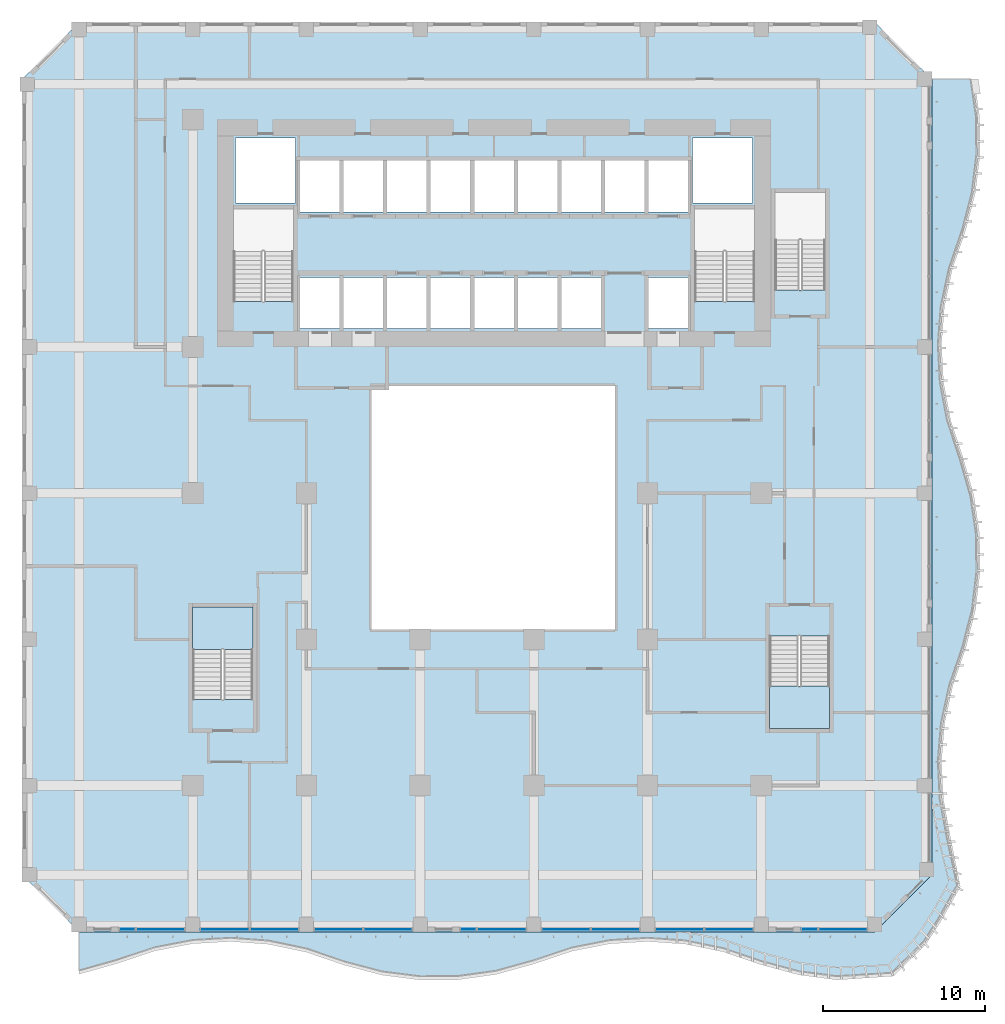
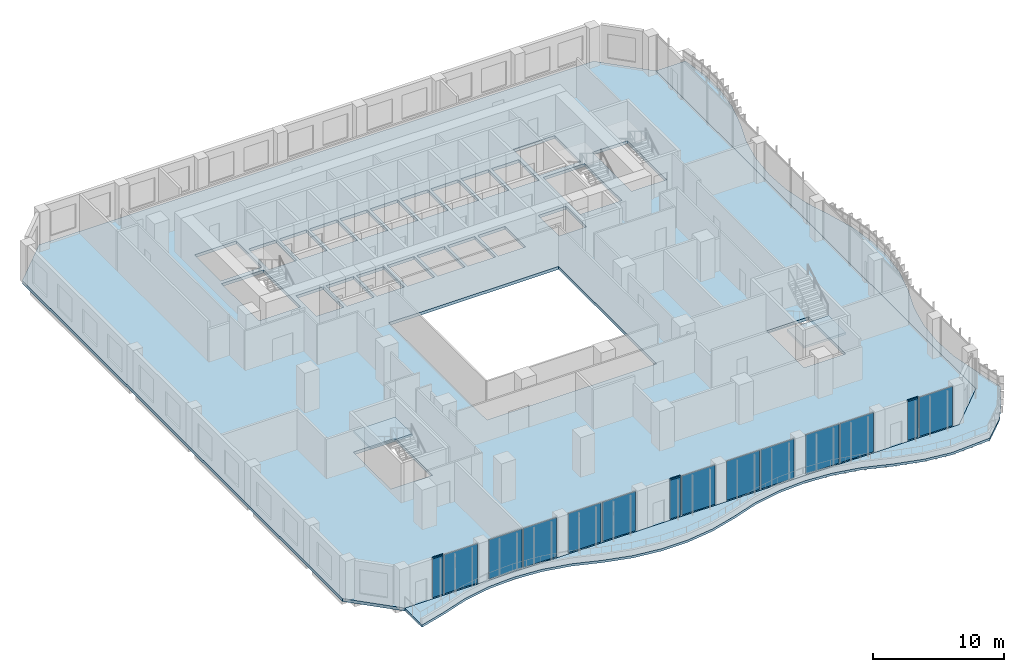
# One storey, part 11 of 26: 14 plates, 4 slabs, 3 members, 16 elements without a shape of their own.
"""IFC4 building model written with IfcOpenShell, lengths in metres."""

from ifc_helpers import new_model, si_unit, direction, frame, origin, origin_2d, place, context, subcontext, project, spatial, polyline, rectangle, outline, extrude, source, transform, mapped, material, layer, layer_set, material_profile, profile_set, type_object, element, aggregate, save


model = new_model("IFC4")

# Units and contexts
model_context = context("Model", 3, precision=1e-05, world=origin(), true_north=direction((0.0, 1.0)))
body_context = subcontext(model_context, "Body", "Model", "MODEL_VIEW")
ifc_project = project(units=[si_unit("LENGTHUNIT", "METRE"), si_unit("AREAUNIT", "SQUARE_METRE"), si_unit("VOLUMEUNIT", "CUBIC_METRE"), si_unit("PLANEANGLEUNIT", "RADIAN"), si_unit("MASSUNIT", "GRAM", prefix="KILO")], contexts=[model_context])

# Site, building, storey
site_placement = place(None, origin())
site = spatial("IfcSite", under=ifc_project, at=site_placement, CompositionType="ELEMENT")
building_placement = place(site_placement, origin())
building = spatial("IfcBuilding", under=site, at=building_placement, Name="Kilnfold Tower and Market Hall", CompositionType="ELEMENT")
storey_placement = place(building_placement, frame((0.0, 0.0, 31.0)))
storey = spatial("IfcBuildingStorey", under=building, at=storey_placement, Name="L06", CompositionType="ELEMENT", Elevation=31.0)

# Curtain wall, member
ifc_material_1 = material(Name="Aluminium and double glazing", Category="aluminium")
curtain_wall_type = type_object("IfcCurtainWallType", Name="CW OF1 VALLEY GLAZING", PredefinedType="NOTDEFINED", material=ifc_material_1)
curtain_wall_1_placement = place(storey_placement, origin())
curtain_wall_1 = element("IfcCurtainWall", 1, at=curtain_wall_1_placement, inside=storey, type_object=curtain_wall_type, Name="Curtain wall CW1 L06 S", PredefinedType="NOTDEFINED")
ifc_material_2 = material(Name="Aluminium", Category="aluminium")
ifc_material_profile = material_profile(ifc_material_2, rectangle(XDim=0.06005859375, YDim=0.139892578125, at=origin_2d()), Name="TRANSOM 60x140")
ifc_profile_set = profile_set([ifc_material_profile], Name="Aluminium")
member_type = type_object("IfcMemberType", Name="TRANSOM 60X140", PredefinedType="USERDEFINED", material=ifc_profile_set)
shared_shape_1 = source(origin(), body_context, "Body", "SweptSolid", [
    extrude(rectangle(XDim=0.06005859375, YDim=0.139892578125, at=origin_2d()), origin(), (0.0, 0.0, 1.0), 0.929931640625),
])
member_1_placement = place(storey_placement, frame((-21.989990234375, -27.85009765625, 3.68994140625), z_axis=(1.0, 0.0, 0.0), x_axis=(0.0, 1.0, 0.0)))
member_1 = element("IfcMember", 2, at=member_1_placement, type_object=member_type, Name="CW1 transom 1.2", ObjectType="TRANSOM", PredefinedType="USERDEFINED", context=body_context, shape_type="MappedRepresentation", body=[
    mapped(shared_shape_1, transform((0.0, 0.0, 0.0))),
])

curtain_wall_2_placement = place(storey_placement, origin())
curtain_wall_2 = element("IfcCurtainWall", 3, at=curtain_wall_2_placement, inside=storey, type_object=curtain_wall_type, Name="Curtain wall CW1 L06 S", PredefinedType="NOTDEFINED")
member_2_placement = place(storey_placement, frame((-0.989990234375, -27.85009765625, 3.68994140625), z_axis=(1.0, 0.0, 0.0), x_axis=(0.0, 1.0, 0.0)))
member_2 = element("IfcMember", 4, at=member_2_placement, type_object=member_type, Name="CW1 transom 1.2", ObjectType="TRANSOM", PredefinedType="USERDEFINED", context=body_context, shape_type="MappedRepresentation", body=[
    mapped(shared_shape_1, transform((0.0, 0.0, 0.0))),
])

curtain_wall_3_placement = place(storey_placement, origin())
curtain_wall_3 = element("IfcCurtainWall", 5, at=curtain_wall_3_placement, inside=storey, type_object=curtain_wall_type, Name="Curtain wall CW1 L06 S", PredefinedType="NOTDEFINED")
member_3_placement = place(storey_placement, frame((20.010009765625, -27.85009765625, 3.68994140625), z_axis=(1.0, 0.0, 0.0), x_axis=(0.0, 1.0, 0.0)))
member_3 = element("IfcMember", 6, at=member_3_placement, type_object=member_type, Name="CW1 transom 1.2", ObjectType="TRANSOM", PredefinedType="USERDEFINED", context=body_context, shape_type="MappedRepresentation", body=[
    mapped(shared_shape_1, transform((0.0, 0.0, 0.0))),
])

# Slab
ifc_material_3 = material(Name="Concrete C45", Category="concrete")
ifc_layer_1 = layer(ifc_material_3, 0.280029296875)
ifc_layer_set_1 = layer_set([ifc_layer_1], Name="Concrete C45")
slab_type_1 = type_object("IfcSlabType", Name="FLOOR SLAB 280", PredefinedType="FLOOR", material=ifc_layer_set_1)
shared_shape_2 = source(origin(), body_context, "Body", "SweptSolid", [
    extrude(outline(polyline([(-24.5, -28.0), (24.5, -28.0), (28.0, -24.5), (28.0, 24.5), (24.5, 28.0), (-24.5, 28.0), (-28.0, 24.5), (-28.0, -24.5), (-24.5, -28.0)]), holes=[polyline([(-13.800537109375, -13.699462890625), (-17.49951171875, -13.699462890625), (-17.49951171875, -8.00048828125), (-13.800537109375, -8.00048828125), (-13.800537109375, -13.699462890625)]), polyline([(-11.300537109375, 10.800537109375), (-14.99951171875, 10.800537109375), (-14.99951171875, 16.49951171875), (-11.300537109375, 16.49951171875), (-11.300537109375, 10.800537109375)]), polyline([(-11.175048828125, 16.875), (-14.875, 16.875), (-14.875, 20.875), (-11.175048828125, 20.875), (-11.175048828125, 16.875)]), polyline([(-10.885009765625, 9.125), (-10.885009765625, 12.27490234375), (-8.455078125, 12.27490234375), (-8.455078125, 9.125), (-10.885009765625, 9.125)]), polyline([(-10.885009765625, 16.324951171875), (-10.885009765625, 19.47509765625), (-8.455078125, 19.47509765625), (-8.455078125, 16.324951171875), (-10.885009765625, 16.324951171875)]), polyline([(-5.77490234375, 9.125), (-8.205078125, 9.125), (-8.205078125, 12.27490234375), (-5.77490234375, 12.27490234375), (-5.77490234375, 9.125)]), polyline([(-8.205078125, 16.324951171875), (-8.205078125, 19.47509765625), (-5.77490234375, 19.47509765625), (-5.77490234375, 16.324951171875), (-8.205078125, 16.324951171875)]), polyline([(-6.5, -9.39990234375), (-6.5, 5.60009765625), (8.5, 5.60009765625), (8.5, -9.39990234375), (-6.5, -9.39990234375)]), polyline([(-5.52490234375, 9.125), (-5.52490234375, 12.27490234375), (-3.094970703125, 12.27490234375), (-3.094970703125, 9.125), (-5.52490234375, 9.125)]), polyline([(-3.094970703125, 16.324951171875), (-5.52490234375, 16.324951171875), (-5.52490234375, 19.47509765625), (-3.094970703125, 19.47509765625), (-3.094970703125, 16.324951171875)]), polyline([(-2.844970703125, 9.125), (-2.844970703125, 12.27490234375), (-0.4150390625, 12.27490234375), (-0.4150390625, 9.125), (-2.844970703125, 9.125)]), polyline([(-2.844970703125, 16.324951171875), (-2.844970703125, 19.47509765625), (-0.4150390625, 19.47509765625), (-0.4150390625, 16.324951171875), (-2.844970703125, 16.324951171875)]), polyline([(-0.1650390625, 9.125), (-0.1650390625, 12.27490234375), (2.264892578125, 12.27490234375), (2.264892578125, 9.125), (-0.1650390625, 9.125)]), polyline([(-0.1650390625, 16.324951171875), (-0.1650390625, 19.47509765625), (2.264892578125, 19.47509765625), (2.264892578125, 16.324951171875), (-0.1650390625, 16.324951171875)]), polyline([(4.945068359375, 9.125), (2.514892578125, 9.125), (2.514892578125, 12.27490234375), (4.945068359375, 12.27490234375), (4.945068359375, 9.125)]), polyline([(2.514892578125, 16.324951171875), (2.514892578125, 19.47509765625), (4.945068359375, 19.47509765625), (4.945068359375, 16.324951171875), (2.514892578125, 16.324951171875)]), polyline([(5.195068359375, 9.125), (5.195068359375, 12.27490234375), (7.625, 12.27490234375), (7.625, 9.125), (5.195068359375, 9.125)]), polyline([(5.195068359375, 16.324951171875), (5.195068359375, 19.47509765625), (7.625, 19.47509765625), (7.625, 16.324951171875), (5.195068359375, 16.324951171875)]), polyline([(7.875, 16.324951171875), (7.875, 19.47509765625), (10.304931640625, 19.47509765625), (10.304931640625, 16.324951171875), (7.875, 16.324951171875)]), polyline([(10.554931640625, 9.125), (10.554931640625, 12.27490234375), (12.985107421875, 12.27490234375), (12.985107421875, 9.125), (10.554931640625, 9.125)]), polyline([(10.554931640625, 16.324951171875), (10.554931640625, 19.47509765625), (12.985107421875, 19.47509765625), (12.985107421875, 16.324951171875), (10.554931640625, 16.324951171875)]), polyline([(13.27490234375, 16.875), (13.27490234375, 20.875), (16.97509765625, 20.875), (16.97509765625, 16.875), (13.27490234375, 16.875)]), polyline([(17.099609375, 10.800537109375), (13.400390625, 10.800537109375), (13.400390625, 16.49951171875), (17.099609375, 16.49951171875), (17.099609375, 10.800537109375)]), polyline([(21.699462890625, -9.800537109375), (21.699462890625, -15.49951171875), (18.00048828125, -15.49951171875), (18.00048828125, -9.800537109375), (21.699462890625, -9.800537109375)]), polyline([(18.3505859375, 11.50048828125), (18.3505859375, 17.49951171875), (21.449462890625, 17.49951171875), (21.449462890625, 11.50048828125), (18.3505859375, 11.50048828125)])]), origin(), (0.0, 0.0, 1.0), 0.280029296875),
])
slab_1_placement = place(storey_placement, frame((0.0, 0.0, -0.280029296875)))
element("IfcSlab", 7, at=slab_1_placement, inside=storey, type_object=slab_type_1, Name="Floor slab L06", PredefinedType="FLOOR", context=body_context, shape_type="MappedRepresentation", body=[
    mapped(shared_shape_2, transform((0.0, 0.0, 0.0))),
])

# Plate
ifc_material_4 = material(Name="Double glazed unit")
ifc_layer_2 = layer(ifc_material_4, 0.031982421875)
ifc_layer_set_2 = layer_set([ifc_layer_2], Name="Double glazed unit")
plate_type = type_object("IfcPlateType", Name="GLAZING PANEL 32", PredefinedType="CURTAIN_PANEL", material=ifc_layer_set_2)
shared_shape_3 = source(origin(), body_context, "Body", "SweptSolid", [
    extrude(rectangle(XDim=0.929931640625, YDim=0.031982421875, at=origin_2d()), origin(), (0.0, 0.0, 1.0), 3.659912109375),
])
plate_1_placement = place(storey_placement, frame((-21.52490234375, -27.85009765625, 0.0), z_axis=(0.0, 0.0, 1.0), x_axis=(1.0, 0.0, 0.0)))
plate_1 = element("IfcPlate", 8, at=plate_1_placement, type_object=plate_type, Name="CW1 panel 1.1", PredefinedType="CURTAIN_PANEL", context=body_context, shape_type="MappedRepresentation", body=[
    mapped(shared_shape_3, transform((0.0, 0.0, 0.0))),
])

aggregate(curtain_wall_1, [member_1, plate_1])

plate_2_placement = place(storey_placement, frame((-0.52490234375, -27.85009765625, 0.0), z_axis=(0.0, 0.0, 1.0), x_axis=(1.0, 0.0, 0.0)))
plate_2 = element("IfcPlate", 9, at=plate_2_placement, type_object=plate_type, Name="CW1 panel 1.1", PredefinedType="CURTAIN_PANEL", context=body_context, shape_type="MappedRepresentation", body=[
    mapped(shared_shape_3, transform((0.0, 0.0, 0.0))),
])

aggregate(curtain_wall_2, [member_2, plate_2])

plate_3_placement = place(storey_placement, frame((20.47509765625, -27.85009765625, 0.0), z_axis=(0.0, 0.0, 1.0), x_axis=(1.0, 0.0, 0.0)))
plate_3 = element("IfcPlate", 10, at=plate_3_placement, type_object=plate_type, Name="CW1 panel 1.1", PredefinedType="CURTAIN_PANEL", context=body_context, shape_type="MappedRepresentation", body=[
    mapped(shared_shape_3, transform((0.0, 0.0, 0.0))),
])

aggregate(curtain_wall_3, [member_3, plate_3])

# Curtain wall, plate
curtain_wall_4_placement = place(storey_placement, origin())
curtain_wall_4 = element("IfcCurtainWall", 11, at=curtain_wall_4_placement, inside=storey, type_object=curtain_wall_type, Name="Curtain wall CW1 L06 S", PredefinedType="NOTDEFINED")
shared_shape_4 = source(origin(), body_context, "Body", "SweptSolid", [
    extrude(rectangle(XDim=2.929931640625, YDim=0.031982421875, at=origin_2d()), origin(), (0.0, 0.0, 1.0), 3.659912109375),
])
plate_4_placement = place(storey_placement, frame((-19.47509765625, -27.85009765625, 0.0), z_axis=(0.0, 0.0, 1.0), x_axis=(1.0, 0.0, 0.0)))
plate_4 = element("IfcPlate", 12, at=plate_4_placement, type_object=plate_type, Name="CW1 panel 1.1", PredefinedType="CURTAIN_PANEL", context=body_context, shape_type="MappedRepresentation", body=[
    mapped(shared_shape_4, transform((0.0, 0.0, 0.0))),
])
aggregate(curtain_wall_4, [plate_4])

curtain_wall_5_placement = place(storey_placement, origin())
curtain_wall_5 = element("IfcCurtainWall", 13, at=curtain_wall_5_placement, inside=storey, type_object=curtain_wall_type, Name="Curtain wall CW1 L06 S", PredefinedType="NOTDEFINED")
plate_5_placement = place(storey_placement, frame((-15.52490234375, -27.85009765625, 0.0), z_axis=(0.0, 0.0, 1.0), x_axis=(1.0, 0.0, 0.0)))
plate_5 = element("IfcPlate", 14, at=plate_5_placement, type_object=plate_type, Name="CW1 panel 1.1", PredefinedType="CURTAIN_PANEL", context=body_context, shape_type="MappedRepresentation", body=[
    mapped(shared_shape_4, transform((0.0, 0.0, 0.0))),
])
aggregate(curtain_wall_5, [plate_5])

curtain_wall_6_placement = place(storey_placement, origin())
curtain_wall_6 = element("IfcCurtainWall", 15, at=curtain_wall_6_placement, inside=storey, type_object=curtain_wall_type, Name="Curtain wall CW1 L06 S", PredefinedType="NOTDEFINED")
plate_6_placement = place(storey_placement, frame((-12.47509765625, -27.85009765625, 0.0), z_axis=(0.0, 0.0, 1.0), x_axis=(1.0, 0.0, 0.0)))
plate_6 = element("IfcPlate", 16, at=plate_6_placement, type_object=plate_type, Name="CW1 panel 1.1", PredefinedType="CURTAIN_PANEL", context=body_context, shape_type="MappedRepresentation", body=[
    mapped(shared_shape_4, transform((0.0, 0.0, 0.0))),
])
aggregate(curtain_wall_6, [plate_6])

curtain_wall_7_placement = place(storey_placement, origin())
curtain_wall_7 = element("IfcCurtainWall", 17, at=curtain_wall_7_placement, inside=storey, type_object=curtain_wall_type, Name="Curtain wall CW1 L06 S", PredefinedType="NOTDEFINED")
plate_7_placement = place(storey_placement, frame((-8.52490234375, -27.85009765625, 0.0), z_axis=(0.0, 0.0, 1.0), x_axis=(1.0, 0.0, 0.0)))
plate_7 = element("IfcPlate", 18, at=plate_7_placement, type_object=plate_type, Name="CW1 panel 1.1", PredefinedType="CURTAIN_PANEL", context=body_context, shape_type="MappedRepresentation", body=[
    mapped(shared_shape_4, transform((0.0, 0.0, 0.0))),
])
aggregate(curtain_wall_7, [plate_7])

curtain_wall_8_placement = place(storey_placement, origin())
curtain_wall_8 = element("IfcCurtainWall", 19, at=curtain_wall_8_placement, inside=storey, type_object=curtain_wall_type, Name="Curtain wall CW1 L06 S", PredefinedType="NOTDEFINED")
plate_8_placement = place(storey_placement, frame((-5.47509765625, -27.85009765625, 0.0), z_axis=(0.0, 0.0, 1.0), x_axis=(1.0, 0.0, 0.0)))
plate_8 = element("IfcPlate", 20, at=plate_8_placement, type_object=plate_type, Name="CW1 panel 1.1", PredefinedType="CURTAIN_PANEL", context=body_context, shape_type="MappedRepresentation", body=[
    mapped(shared_shape_4, transform((0.0, 0.0, 0.0))),
])
aggregate(curtain_wall_8, [plate_8])

curtain_wall_9_placement = place(storey_placement, origin())
curtain_wall_9 = element("IfcCurtainWall", 21, at=curtain_wall_9_placement, inside=storey, type_object=curtain_wall_type, Name="Curtain wall CW1 L06 S", PredefinedType="NOTDEFINED")
plate_9_placement = place(storey_placement, frame((1.52490234375, -27.85009765625, 0.0), z_axis=(0.0, 0.0, 1.0), x_axis=(1.0, 0.0, 0.0)))
plate_9 = element("IfcPlate", 22, at=plate_9_placement, type_object=plate_type, Name="CW1 panel 1.1", PredefinedType="CURTAIN_PANEL", context=body_context, shape_type="MappedRepresentation", body=[
    mapped(shared_shape_4, transform((0.0, 0.0, 0.0))),
])
aggregate(curtain_wall_9, [plate_9])

curtain_wall_10_placement = place(storey_placement, origin())
curtain_wall_10 = element("IfcCurtainWall", 23, at=curtain_wall_10_placement, inside=storey, type_object=curtain_wall_type, Name="Curtain wall CW1 L06 S", PredefinedType="NOTDEFINED")
plate_10_placement = place(storey_placement, frame((5.47509765625, -27.85009765625, 0.0), z_axis=(0.0, 0.0, 1.0), x_axis=(1.0, 0.0, 0.0)))
plate_10 = element("IfcPlate", 24, at=plate_10_placement, type_object=plate_type, Name="CW1 panel 1.1", PredefinedType="CURTAIN_PANEL", context=body_context, shape_type="MappedRepresentation", body=[
    mapped(shared_shape_4, transform((0.0, 0.0, 0.0))),
])
aggregate(curtain_wall_10, [plate_10])

curtain_wall_11_placement = place(storey_placement, origin())
curtain_wall_11 = element("IfcCurtainWall", 25, at=curtain_wall_11_placement, inside=storey, type_object=curtain_wall_type, Name="Curtain wall CW1 L06 S", PredefinedType="NOTDEFINED")
plate_11_placement = place(storey_placement, frame((8.52490234375, -27.85009765625, 0.0), z_axis=(0.0, 0.0, 1.0), x_axis=(1.0, 0.0, 0.0)))
plate_11 = element("IfcPlate", 26, at=plate_11_placement, type_object=plate_type, Name="CW1 panel 1.1", PredefinedType="CURTAIN_PANEL", context=body_context, shape_type="MappedRepresentation", body=[
    mapped(shared_shape_4, transform((0.0, 0.0, 0.0))),
])
aggregate(curtain_wall_11, [plate_11])

curtain_wall_12_placement = place(storey_placement, origin())
curtain_wall_12 = element("IfcCurtainWall", 27, at=curtain_wall_12_placement, inside=storey, type_object=curtain_wall_type, Name="Curtain wall CW1 L06 S", PredefinedType="NOTDEFINED")
plate_12_placement = place(storey_placement, frame((12.47509765625, -27.85009765625, 0.0), z_axis=(0.0, 0.0, 1.0), x_axis=(1.0, 0.0, 0.0)))
plate_12 = element("IfcPlate", 28, at=plate_12_placement, type_object=plate_type, Name="CW1 panel 1.1", PredefinedType="CURTAIN_PANEL", context=body_context, shape_type="MappedRepresentation", body=[
    mapped(shared_shape_4, transform((0.0, 0.0, 0.0))),
])
aggregate(curtain_wall_12, [plate_12])

curtain_wall_13_placement = place(storey_placement, origin())
curtain_wall_13 = element("IfcCurtainWall", 29, at=curtain_wall_13_placement, inside=storey, type_object=curtain_wall_type, Name="Curtain wall CW1 L06 S", PredefinedType="NOTDEFINED")
plate_13_placement = place(storey_placement, frame((15.52490234375, -27.85009765625, 0.0), z_axis=(0.0, 0.0, 1.0), x_axis=(1.0, 0.0, 0.0)))
plate_13 = element("IfcPlate", 30, at=plate_13_placement, type_object=plate_type, Name="CW1 panel 1.1", PredefinedType="CURTAIN_PANEL", context=body_context, shape_type="MappedRepresentation", body=[
    mapped(shared_shape_4, transform((0.0, 0.0, 0.0))),
])
aggregate(curtain_wall_13, [plate_13])

curtain_wall_14_placement = place(storey_placement, origin())
curtain_wall_14 = element("IfcCurtainWall", 31, at=curtain_wall_14_placement, inside=storey, type_object=curtain_wall_type, Name="Curtain wall CW1 L06 S", PredefinedType="NOTDEFINED")
plate_14_placement = place(storey_placement, frame((22.52490234375, -27.85009765625, 0.0), z_axis=(0.0, 0.0, 1.0), x_axis=(1.0, 0.0, 0.0)))
plate_14 = element("IfcPlate", 32, at=plate_14_placement, type_object=plate_type, Name="CW1 panel 1.1", PredefinedType="CURTAIN_PANEL", context=body_context, shape_type="MappedRepresentation", body=[
    mapped(shared_shape_4, transform((0.0, 0.0, 0.0))),
])
aggregate(curtain_wall_14, [plate_14])

# Slab
ifc_material_5 = material(Name="Concrete C40/50", Category="concrete")
ifc_layer_3 = layer(ifc_material_5, 0.219970703125)
ifc_layer_set_3 = layer_set([ifc_layer_3], Name="Concrete C40/50")
slab_type_2 = type_object("IfcSlabType", Name="BALCONY SLAB 220", PredefinedType="FLOOR", material=ifc_layer_set_3)
shared_shape_5 = source(origin(), body_context, "Body", "SweptSolid", [
    extrude(outline(polyline([(-24.5, -28.0), (24.5, -28.0), (28.0, -24.5), (28.0, 24.5), (30.6171875, 24.5), (30.949462890625, 22.166748046875), (30.972412109375, 19.833251953125), (30.68798828125, 17.5), (30.080078125, 15.166748046875), (29.27978515625, 12.833251953125), (28.782470703125, 10.5), (28.601318359375, 8.166748046875), (28.7265625, 5.833251953125), (29.164794921875, 3.5), (29.932373046875, 1.166748046875), (30.602294921875, -1.166748046875), (30.94384765625, -3.5), (30.976318359375, -5.833251953125), (30.701171875, -8.166748046875), (30.103515625, -10.5), (29.2998046875, -12.833251953125), (28.792724609375, -15.166748046875), (28.602294921875, -17.5), (28.71826171875, -19.833251953125), (29.146728515625, -22.166748046875), (29.761474609375, -25.2294921875), (28.546630859375, -27.3798828125), (27.6259765625, -28.79248046875), (25.632568359375, -30.734130859375), (22.166748046875, -30.964111328125), (19.833251953125, -30.660400390625), (17.5, -30.031982421875), (15.166748046875, -29.239990234375), (12.833251953125, -28.7626953125), (10.5, -28.60009765625), (8.166748046875, -28.743896484375), (5.833251953125, -29.201904296875), (3.5, -29.98291015625), (1.166748046875, -30.632080078125), (-1.166748046875, -30.95458984375), (-3.5, -30.968505859375), (-5.833251953125, -30.67431640625), (-8.166748046875, -30.05615234375), (-10.5, -29.259765625), (-12.833251953125, -28.7724609375), (-15.166748046875, -28.6005859375), (-17.5, -28.735107421875), (-19.833251953125, -29.18310546875), (-22.166748046875, -29.957763671875), (-24.5, -30.6171875), (-24.5, -28.0)])), origin(), (0.0, 0.0, 1.0), 0.219970703125),
])
slab_2_placement = place(storey_placement, frame((0.0, 0.0, -0.219970703125)))
element("IfcSlab", 33, at=slab_2_placement, inside=storey, type_object=slab_type_2, Name="Balcony slab L06", PredefinedType="FLOOR", context=body_context, shape_type="MappedRepresentation", body=[
    mapped(shared_shape_5, transform((0.0, 0.0, 0.0))),
])

# Stair, slab
ifc_material_6 = material(Name="Concrete C40/50", Category="concrete")
stair_type = type_object("IfcStairType", Name="CORE STAIR 1800", PredefinedType="HALF_TURN_STAIR", material=ifc_material_6)
stair_1_placement = place(storey_placement, origin())
stair_1 = element("IfcStair", 34, at=stair_1_placement, inside=storey, type_object=stair_type, Name="L06 ST3", PredefinedType="HALF_TURN_STAIR")
ifc_material_7 = material(Name="Concrete C40/50", Category="concrete")
ifc_layer_4 = layer(ifc_material_7, 0.199951171875)
ifc_layer_set_4 = layer_set([ifc_layer_4], Name="Concrete C40/50")
slab_type_3 = type_object("IfcSlabType", Name="CORE STAIR LANDING 200", PredefinedType="LANDING", material=ifc_layer_set_4)
shared_shape_6 = source(origin(), body_context, "Body", "SweptSolid", [
    extrude(outline(polyline([(-13.800048828125, -10.6201171875), (-13.800048828125, -8.0), (-17.5, -8.0), (-17.5, -10.6201171875), (-13.800048828125, -10.6201171875)])), origin(), (0.0, 0.0, 1.0), 0.199951171875),
])
slab_3_placement = place(storey_placement, frame((0.0, 0.0, 1.800048828125)))
slab_3 = element("IfcSlab", 35, at=slab_3_placement, type_object=slab_type_3, Name="ST3 landing 1", PredefinedType="LANDING", context=body_context, shape_type="MappedRepresentation", body=[
    mapped(shared_shape_6, transform((0.0, 0.0, 0.0))),
])
aggregate(stair_1, [slab_3])

stair_2_placement = place(storey_placement, origin())
stair_2 = element("IfcStair", 36, at=stair_2_placement, inside=storey, type_object=stair_type, Name="L06 ST4", PredefinedType="HALF_TURN_STAIR")
shared_shape_7 = source(origin(), body_context, "Body", "SweptSolid", [
    extrude(outline(polyline([(18.0, -12.8798828125), (18.0, -15.5), (21.699951171875, -15.5), (21.699951171875, -12.8798828125), (18.0, -12.8798828125)])), origin(), (0.0, 0.0, 1.0), 0.199951171875),
])
slab_4_placement = place(storey_placement, frame((0.0, 0.0, 1.800048828125)))
slab_4 = element("IfcSlab", 37, at=slab_4_placement, type_object=slab_type_3, Name="ST4 landing 1", PredefinedType="LANDING", context=body_context, shape_type="MappedRepresentation", body=[
    mapped(shared_shape_7, transform((0.0, 0.0, 0.0))),
])
aggregate(stair_2, [slab_4])

save(model, "model.ifc")
